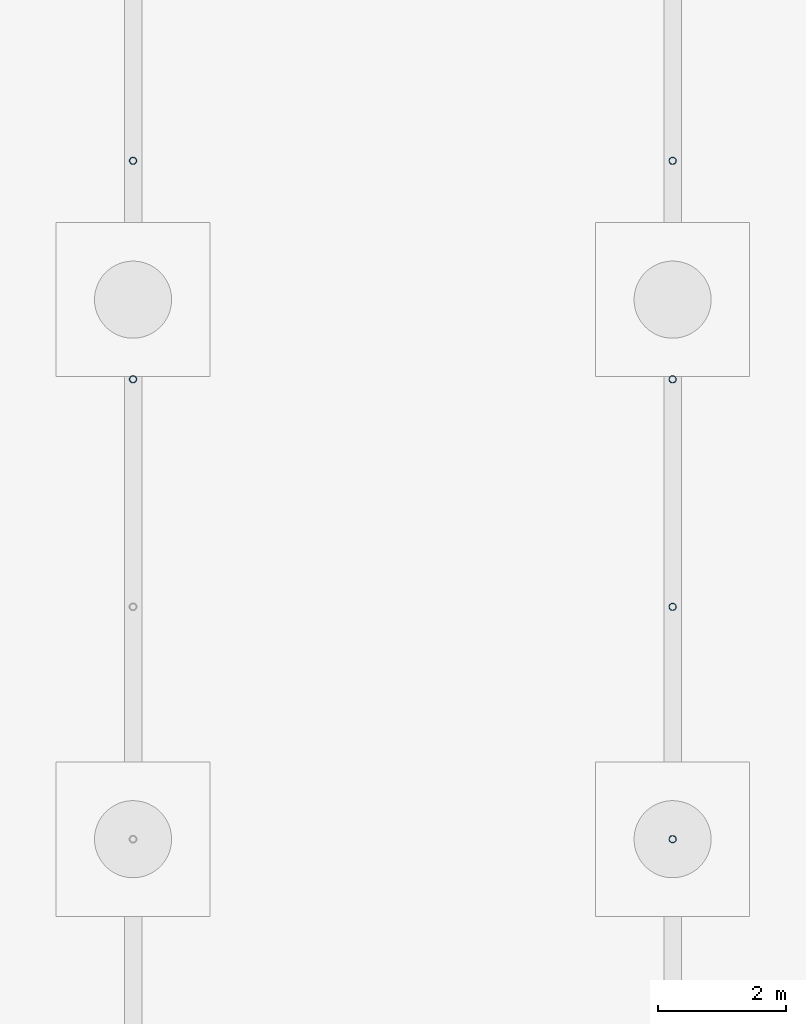
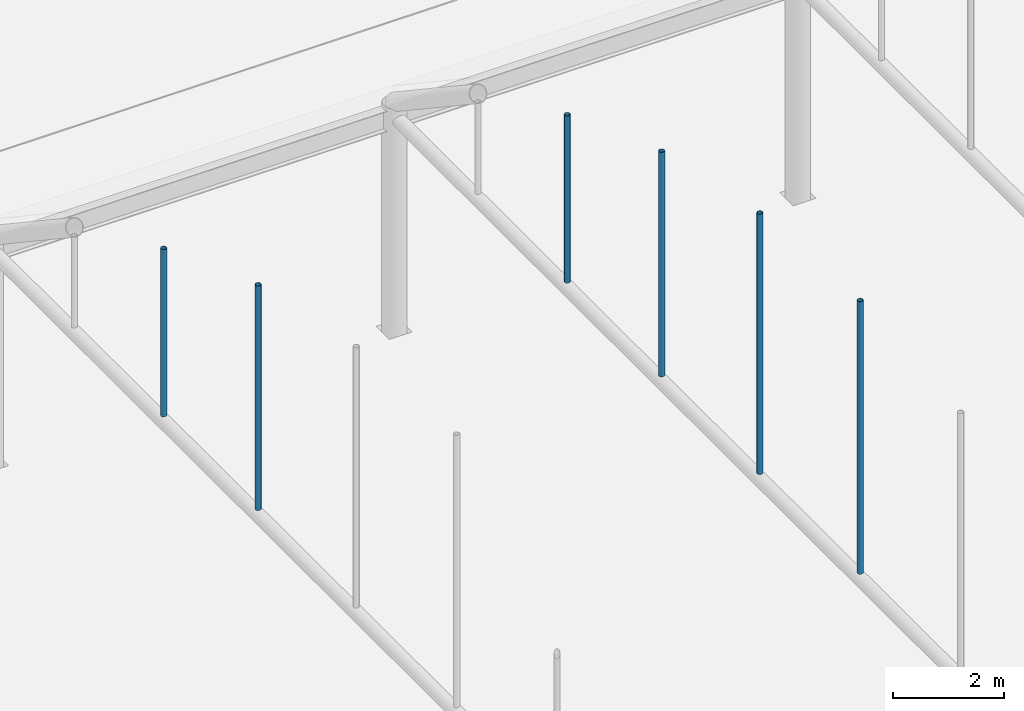
# One storey, part 69 of 212: 6 members.
"""IFC4 building model written with IfcOpenShell, lengths in metres."""

from ifc_helpers import new_model, si_unit, direction, frame, origin, origin_2d, place, context, subcontext, project, spatial, hollow_circle, extrude, material, material_profile, profile_set, type_object, element, save


model = new_model("IFC4")

# Units and contexts
model_context = context("Model", 3, precision=1e-05, world=origin(), true_north=direction((0.0, 1.0)))
body_context = subcontext(model_context, "Body", "Model", "MODEL_VIEW")
ifc_project = project(units=[si_unit("LENGTHUNIT", "METRE"), si_unit("AREAUNIT", "SQUARE_METRE"), si_unit("VOLUMEUNIT", "CUBIC_METRE"), si_unit("PLANEANGLEUNIT", "RADIAN"), si_unit("MASSUNIT", "GRAM", prefix="KILO")], contexts=[model_context])

# Site, building, storey
site_placement = place(None, origin())
site = spatial("IfcSite", under=ifc_project, at=site_placement, CompositionType="ELEMENT")
building_placement = place(site_placement, origin())
building = spatial("IfcBuilding", under=site, at=building_placement, Name="Catenary Quay Ferry Terminal", CompositionType="ELEMENT")
storey_placement = place(building_placement, origin())
storey = spatial("IfcBuildingStorey", under=building, at=storey_placement, Name="L00", CompositionType="ELEMENT", Elevation=0.0)

# Members
ifc_material = material(Name="Steel S355", Category="steel")
ifc_material_profile = material_profile(ifc_material, hollow_circle(Radius=0.05712890625, WallThickness=0.00634765625, at=origin_2d()), Name="CHS 114.3x6.3")
ifc_profile_set = profile_set([ifc_material_profile], Name="Steel S355")
member_type = type_object("IfcMemberType", Name="HG1 CHS 114.3x6.3", PredefinedType="POST", material=ifc_profile_set)
member_1_placement = place(storey_placement, frame((67.199951171875, 40.760009765625, 4.830078125), z_axis=(0.0, 0.0, 1.0), x_axis=(1.0, 0.0, 0.0)))
element("IfcMember", 1, at=member_1_placement, inside=storey, type_object=member_type, Name="Hanger CA-07-07", PredefinedType="POST", context=body_context, shape_type="SweptSolid", body=[
    extrude(hollow_circle(Radius=0.05712890625, WallThickness=0.00634765625, at=origin_2d()), origin(), (0.0, 0.0, 1.0), 4.94287109375),
])
member_2_placement = place(storey_placement, frame((67.199951171875, 44.162109375, 4.830078125), z_axis=(0.0, 0.0, 1.0), x_axis=(1.0, 0.0, 0.0)))
element("IfcMember", 2, at=member_2_placement, inside=storey, type_object=member_type, Name="Hanger CA-07-08", PredefinedType="POST", context=body_context, shape_type="SweptSolid", body=[
    extrude(hollow_circle(Radius=0.05712890625, WallThickness=0.00634765625, at=origin_2d()), origin(), (0.0, 0.0, 1.0), 3.681884765625),
])
member_3_placement = place(storey_placement, frame((75.60009765625, 33.60009765625, 4.830078125), z_axis=(0.0, 0.0, 1.0), x_axis=(1.0, 0.0, 0.0)))
element("IfcMember", 3, at=member_3_placement, inside=storey, type_object=member_type, Name="Hanger CA-08-05", PredefinedType="POST", context=body_context, shape_type="SweptSolid", body=[
    extrude(hollow_circle(Radius=0.05712890625, WallThickness=0.00634765625, at=origin_2d()), origin(), (0.0, 0.0, 1.0), 5.997802734375),
])
member_4_placement = place(storey_placement, frame((75.60009765625, 37.218017578125, 4.830078125), z_axis=(0.0, 0.0, 1.0), x_axis=(1.0, 0.0, 0.0)))
element("IfcMember", 4, at=member_4_placement, inside=storey, type_object=member_type, Name="Hanger CA-08-06", PredefinedType="POST", context=body_context, shape_type="SweptSolid", body=[
    extrude(hollow_circle(Radius=0.05712890625, WallThickness=0.00634765625, at=origin_2d()), origin(), (0.0, 0.0, 1.0), 5.72998046875),
])
member_5_placement = place(storey_placement, frame((75.60009765625, 40.760009765625, 4.830078125), z_axis=(0.0, 0.0, 1.0), x_axis=(1.0, 0.0, 0.0)))
element("IfcMember", 5, at=member_5_placement, inside=storey, type_object=member_type, Name="Hanger CA-08-07", PredefinedType="POST", context=body_context, shape_type="SweptSolid", body=[
    extrude(hollow_circle(Radius=0.05712890625, WallThickness=0.00634765625, at=origin_2d()), origin(), (0.0, 0.0, 1.0), 4.94287109375),
])
member_6_placement = place(storey_placement, frame((75.60009765625, 44.162109375, 4.830078125), z_axis=(0.0, 0.0, 1.0), x_axis=(1.0, 0.0, 0.0)))
element("IfcMember", 6, at=member_6_placement, inside=storey, type_object=member_type, Name="Hanger CA-08-08", PredefinedType="POST", context=body_context, shape_type="SweptSolid", body=[
    extrude(hollow_circle(Radius=0.05712890625, WallThickness=0.00634765625, at=origin_2d()), origin(), (0.0, 0.0, 1.0), 3.681884765625),
])

save(model, "model.ifc")
